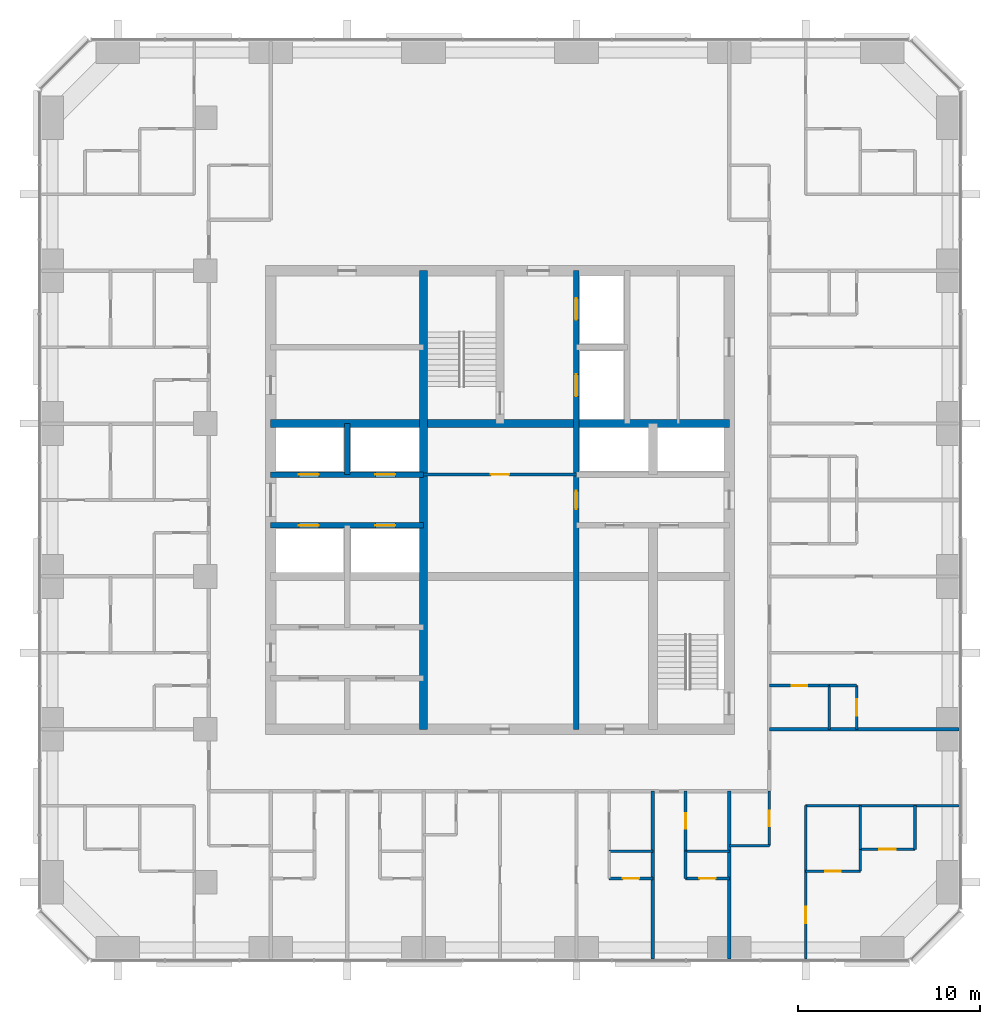
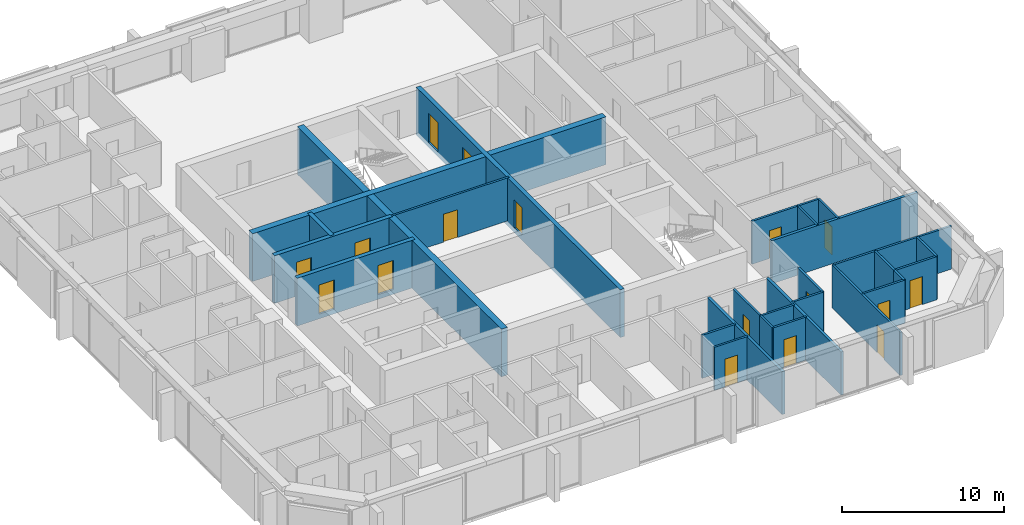
# One storey, part 10 of 14: 29 walls, 17 doors, 17 openings.
"""IFC4 building model written with IfcOpenShell, lengths in metres."""

from ifc_helpers import new_model, si_unit, direction, frame, frame_2d, origin, place, context, subcontext, project, spatial, rectangle, extrude, material, layer, layer_set, type_object, element, fill, save


model = new_model("IFC4")

# Units and contexts
model_context = context("Model", 3, precision=1e-05, world=origin(), true_north=direction((0.0, 1.0)))
body_context = subcontext(model_context, "Body", "Model", "MODEL_VIEW")
ifc_project = project(units=[si_unit("LENGTHUNIT", "METRE"), si_unit("AREAUNIT", "SQUARE_METRE"), si_unit("VOLUMEUNIT", "CUBIC_METRE"), si_unit("PLANEANGLEUNIT", "RADIAN"), si_unit("MASSUNIT", "GRAM", prefix="KILO")], contexts=[model_context])

# Site, building, storey
site_placement = place(None, origin())
site = spatial("IfcSite", under=ifc_project, at=site_placement, CompositionType="ELEMENT")
building_placement = place(site_placement, origin())
building = spatial("IfcBuilding", under=site, at=building_placement, Name="Dunama Terrace Hotel", CompositionType="ELEMENT")
storey_placement = place(building_placement, frame((0.0, 0.0, 198.60009765625)))
storey = spatial("IfcBuildingStorey", under=building, at=storey_placement, Name="L51", CompositionType="ELEMENT", Elevation=198.60009765625)

# Wall, opening, door
ifc_material_1 = material(Name="Gypsum board partition", Category="masonry")
ifc_layer_1 = layer(ifc_material_1, 0.14990234375)
ifc_layer_set_1 = layer_set([ifc_layer_1], Name="Bathroom partition 150")
wall_type_1 = type_object("IfcWallType", Name="Bathroom partition 150", PredefinedType="PARTITIONING", material=ifc_layer_set_1)
wall_1_placement = place(storey_placement, frame((39.60009765625, 10.10009765625, 0.0), z_axis=(0.0, 0.0, 1.0), x_axis=(0.0, 1.0, 0.0)))
wall_1 = element("IfcWall", 1, at=wall_1_placement, inside=storey, type_object=wall_type_1, Name="Bathroom partition 150 L51", PredefinedType="PARTITIONING", context=body_context, shape_type="SweptSolid", body=[
    extrude(rectangle(XDim=3.2998046875, YDim=0.14990234375, at=frame_2d((1.64990234375, 0.0))), origin(), (0.0, 0.0, 1.0), 3.25),
])
opening_1_placement = place(wall_1_placement, frame((1.22509765625, 0.0, 0.0)))
opening_1 = element("IfcOpeningElement", 2, at=opening_1_placement, cuts=wall_1, Name="Opening L51-52-022", PredefinedType="OPENING", context=body_context, shape_type="SweptSolid", body=[
    extrude(rectangle(XDim=0.85009765625, YDim=2.10009765625, at=frame_2d((0.425048828125, 1.050048828125))), frame((0.0, 0.0849609375, 0.0), z_axis=(0.0, -1.0, 0.0), x_axis=(1.0, 0.0, 0.0)), (0.0, 0.0, 1.0), 0.169921875),
])
ifc_material_2 = material(Name="Timber door with steel frame", Category="steel")
door_type_1 = type_object("IfcDoorType", Name="Bathroom door 850", OperationType="SINGLE_SWING_LEFT", PredefinedType="DOOR", material=ifc_material_2)
door_1_placement = place(opening_1_placement, frame((0.85009765625, 0.0, 0.0), z_axis=(0.0, 0.0, 1.0), x_axis=(-1.0, 0.0, 0.0)))
door_1 = element("IfcDoor", 3, at=door_1_placement, inside=storey, type_object=door_type_1, Name="Door to en-suite bathroom L51-52-022, type D2", OperationType="SINGLE_SWING_LEFT", OverallHeight=2.10009765625, OverallWidth=0.85009765625, PredefinedType="DOOR", context=body_context, shape_type="SweptSolid", body=[
    extrude(rectangle(XDim=0.85009765625, YDim=2.10009765625, at=frame_2d((0.425048828125, 1.050048828125))), frame((0.0, 0.025146484375, 0.0), z_axis=(0.0, -1.0, 0.0), x_axis=(1.0, 0.0, 0.0)), (0.0, 0.0, 1.0), 0.050048828125),
])
fill(opening_1, door_1)

wall_2_placement = place(storey_placement, frame((44.199951171875, 10.39990234375, 0.0), z_axis=(0.0, 0.0, 1.0), x_axis=(0.0, 1.0, 0.0)))
wall_2 = element("IfcWall", 4, at=wall_2_placement, inside=storey, type_object=wall_type_1, Name="Bathroom partition 150 L51", PredefinedType="PARTITIONING", context=body_context, shape_type="SweptSolid", body=[
    extrude(rectangle(XDim=3.0, YDim=0.14990234375, at=frame_2d((1.5, 0.0))), origin(), (0.0, 0.0, 1.0), 3.25),
])
opening_2_placement = place(wall_2_placement, frame((1.074951171875, 0.0, 0.0)))
opening_2 = element("IfcOpeningElement", 5, at=opening_2_placement, cuts=wall_2, Name="Opening L51-52-059", PredefinedType="OPENING", context=body_context, shape_type="SweptSolid", body=[
    extrude(rectangle(XDim=0.85009765625, YDim=2.10009765625, at=frame_2d((0.425048828125, 1.050048828125))), frame((0.0, 0.0849609375, 0.0), z_axis=(0.0, -1.0, 0.0), x_axis=(1.0, 0.0, 0.0)), (0.0, 0.0, 1.0), 0.169921875),
])
door_2_placement = place(opening_2_placement, origin())
door_2 = element("IfcDoor", 6, at=door_2_placement, inside=storey, type_object=door_type_1, Name="Door to powder room L51-52-059, type D2", OperationType="SINGLE_SWING_RIGHT", OverallHeight=2.10009765625, OverallWidth=0.85009765625, PredefinedType="DOOR", context=body_context, shape_type="SweptSolid", body=[
    extrude(rectangle(XDim=0.85009765625, YDim=2.10009765625, at=frame_2d((0.425048828125, 1.050048828125))), frame((0.0, 0.02490234375, 0.0), z_axis=(0.0, -1.0, 0.0), x_axis=(1.0, 0.0, 0.0)), (0.0, 0.0, 1.0), 0.050048828125),
])
fill(opening_2, door_2)

# Wall
wall_3_placement = place(storey_placement, frame((49.199951171875, 9.0, 0.0), z_axis=(0.0, 0.0, 1.0), x_axis=(0.0, 1.0, 0.0)))
element("IfcWall", 7, at=wall_3_placement, inside=storey, type_object=wall_type_1, Name="Bathroom partition 150 L51", PredefinedType="PARTITIONING", context=body_context, shape_type="SweptSolid", body=[
    extrude(rectangle(XDim=1.199951171875, YDim=0.14990234375, at=frame_2d((0.60009765625, 0.0))), origin(), (0.0, 0.0, 1.0), 3.25),
])

# Wall, opening, door
wall_4_placement = place(storey_placement, frame((46.199951171875, 9.0, 0.0), z_axis=(0.0, 0.0, 1.0), x_axis=(1.0, 0.0, 0.0)))
wall_4 = element("IfcWall", 8, at=wall_4_placement, inside=storey, type_object=wall_type_1, Name="Bathroom partition 150 L51", PredefinedType="PARTITIONING", context=body_context, shape_type="SweptSolid", body=[
    extrude(rectangle(XDim=3.0, YDim=0.14990234375, at=frame_2d((1.5, 0.0))), origin(), (0.0, 0.0, 1.0), 3.25),
])
opening_3_placement = place(wall_4_placement, frame((1.074951171875, 0.0, 0.0)))
opening_3 = element("IfcOpeningElement", 9, at=opening_3_placement, cuts=wall_4, Name="Opening L51-52-061", PredefinedType="OPENING", context=body_context, shape_type="SweptSolid", body=[
    extrude(rectangle(XDim=0.85009765625, YDim=2.10009765625, at=frame_2d((0.425048828125, 1.050048828125))), frame((0.0, 0.0849609375, 0.0), z_axis=(0.0, -1.0, 0.0), x_axis=(1.0, 0.0, 0.0)), (0.0, 0.0, 1.0), 0.169921875),
])
door_3_placement = place(opening_3_placement, origin())
door_3 = element("IfcDoor", 10, at=door_3_placement, inside=storey, type_object=door_type_1, Name="Door to en-suite bathroom L51-52-061, type D2", OperationType="SINGLE_SWING_RIGHT", OverallHeight=2.10009765625, OverallWidth=0.85009765625, PredefinedType="DOOR", context=body_context, shape_type="SweptSolid", body=[
    extrude(rectangle(XDim=0.85009765625, YDim=2.10009765625, at=frame_2d((0.425048828125, 1.050048828125))), frame((0.0, 0.02490234375, 0.0), z_axis=(0.0, -1.0, 0.0), x_axis=(1.0, 0.0, 0.0)), (0.0, 0.0, 1.0), 0.050048828125),
])
fill(opening_3, door_3)

# Wall
wall_5_placement = place(storey_placement, frame((42.0, 10.39990234375, 0.0), z_axis=(0.0, 0.0, 1.0), x_axis=(1.0, 0.0, 0.0)))
element("IfcWall", 11, at=wall_5_placement, inside=storey, type_object=wall_type_1, Name="Bathroom partition 150 L51", PredefinedType="PARTITIONING", context=body_context, shape_type="SweptSolid", body=[
    extrude(rectangle(XDim=2.199951171875, YDim=0.14990234375, at=frame_2d((1.10009765625, 0.0))), origin(), (0.0, 0.0, 1.0), 3.25),
])

# Wall, opening, door
wall_6_placement = place(storey_placement, frame((44.199951171875, 19.199951171875, 0.0), z_axis=(0.0, 0.0, 1.0), x_axis=(1.0, 0.0, 0.0)))
wall_6 = element("IfcWall", 12, at=wall_6_placement, inside=storey, type_object=wall_type_1, Name="Bathroom partition 150 L51", PredefinedType="PARTITIONING", context=body_context, shape_type="SweptSolid", body=[
    extrude(rectangle(XDim=3.300048828125, YDim=0.14990234375, at=frame_2d((1.64990234375, 0.0))), origin(), (0.0, 0.0, 1.0), 3.25),
])
opening_4_placement = place(wall_6_placement, frame((1.22509765625, 0.0, 0.0)))
opening_4 = element("IfcOpeningElement", 13, at=opening_4_placement, cuts=wall_6, Name="Opening L51-52-026", PredefinedType="OPENING", context=body_context, shape_type="SweptSolid", body=[
    extrude(rectangle(XDim=0.85009765625, YDim=2.10009765625, at=frame_2d((0.425048828125, 1.050048828125))), frame((0.0, 0.0849609375, 0.0), z_axis=(0.0, -1.0, 0.0), x_axis=(1.0, 0.0, 0.0)), (0.0, 0.0, 1.0), 0.169921875),
])
door_4_placement = place(opening_4_placement, frame((0.85009765625, 0.0, 0.0), z_axis=(0.0, 0.0, 1.0), x_axis=(-1.0, 0.0, 0.0)))
door_4 = element("IfcDoor", 14, at=door_4_placement, inside=storey, type_object=door_type_1, Name="Door to en-suite bathroom L51-52-026, type D2", OperationType="SINGLE_SWING_RIGHT", OverallHeight=2.10009765625, OverallWidth=0.85009765625, PredefinedType="DOOR", context=body_context, shape_type="SweptSolid", body=[
    extrude(rectangle(XDim=0.85009765625, YDim=2.10009765625, at=frame_2d((0.425048828125, 1.050048828125))), frame((0.0, 0.025146484375, 0.0), z_axis=(0.0, -1.0, 0.0), x_axis=(1.0, 0.0, 0.0)), (0.0, 0.0, 1.0), 0.050048828125),
])
fill(opening_4, door_4)

# Wall
ifc_material_3 = material(Name="Concrete C50/60", Category="concrete")
ifc_layer_2 = layer(ifc_material_3, 0.300048828125)
ifc_layer_set_2 = layer_set([ifc_layer_2], Name="Core inner wall 300")
wall_type_2 = type_object("IfcWallType", Name="Core inner wall 300", PredefinedType="SHEAR", material=ifc_layer_set_2)
wall_7_placement = place(storey_placement, frame((21.0, 30.800048828125, -0.35009765625), z_axis=(0.0, 0.0, 1.0), x_axis=(0.0, 1.0, 0.0)))
element("IfcWall", 15, at=wall_7_placement, inside=storey, type_object=wall_type_2, Name="Core inner wall 300 L51", PredefinedType="SHEAR", context=body_context, shape_type="SweptSolid", body=[
    extrude(rectangle(XDim=2.800048828125, YDim=0.300048828125, at=frame_2d((1.39990234375, 0.0))), origin(), (0.0, 0.0, 1.0), 3.60009765625),
])

# Wall, openings, doors
wall_8_placement = place(storey_placement, frame((33.60009765625, 16.800048828125, -0.35009765625), z_axis=(0.0, 0.0, 1.0), x_axis=(0.0, 1.0, 0.0)))
wall_8 = element("IfcWall", 16, at=wall_8_placement, inside=storey, type_object=wall_type_2, Name="Core inner wall 300 L51", PredefinedType="SHEAR", context=body_context, shape_type="SweptSolid", body=[
    extrude(rectangle(XDim=25.199951171875, YDim=0.300048828125, at=frame_2d((12.60009765625, 0.0))), origin(), (0.0, 0.0, 1.0), 3.60009765625),
])
opening_5_placement = place(wall_8_placement, frame((22.5, 0.0, 0.35009765625)))
opening_5 = element("IfcOpeningElement", 17, at=opening_5_placement, cuts=wall_8, Name="Opening L51-52-007", PredefinedType="OPENING", context=body_context, shape_type="SweptSolid", body=[
    extrude(rectangle(XDim=1.199951171875, YDim=2.199951171875, at=frame_2d((0.60009765625, 1.10009765625))), frame((0.0, 0.159912109375, 0.0), z_axis=(0.0, -1.0, 0.0), x_axis=(1.0, 0.0, 0.0)), (0.0, 0.0, 1.0), 0.320068359375),
])
opening_6_placement = place(wall_8_placement, frame((18.300048828125, 0.0, 0.35009765625)))
opening_6 = element("IfcOpeningElement", 18, at=opening_6_placement, cuts=wall_8, Name="Opening L51-52-008", PredefinedType="OPENING", context=body_context, shape_type="SweptSolid", body=[
    extrude(rectangle(XDim=1.199951171875, YDim=2.199951171875, at=frame_2d((0.60009765625, 1.10009765625))), frame((0.0, 0.159912109375, 0.0), z_axis=(0.0, -1.0, 0.0), x_axis=(1.0, 0.0, 0.0)), (0.0, 0.0, 1.0), 0.320068359375),
])
opening_7_placement = place(wall_8_placement, frame((12.10009765625, 0.0, 0.35009765625)))
opening_7 = element("IfcOpeningElement", 19, at=opening_7_placement, cuts=wall_8, Name="Opening L51-52-081", PredefinedType="OPENING", context=body_context, shape_type="SweptSolid", body=[
    extrude(rectangle(XDim=1.0, YDim=2.10009765625, at=frame_2d((0.5, 1.050048828125))), frame((0.0, 0.159912109375, 0.0), z_axis=(0.0, -1.0, 0.0), x_axis=(1.0, 0.0, 0.0)), (0.0, 0.0, 1.0), 0.320068359375),
])
ifc_material_4 = material(Name="Stainless steel lift door", Category="steel")
door_type_2 = type_object("IfcDoorType", Name="Firefighting lift landing door 1200", OperationType="DOUBLE_DOOR_SLIDING", PredefinedType="DOOR", material=ifc_material_4)
door_5_placement = place(opening_5_placement, origin())
door_5 = element("IfcDoor", 20, at=door_5_placement, inside=storey, type_object=door_type_2, Name="Landing door FL1 L51-52-007, type LD2", OperationType="DOUBLE_DOOR_SLIDING", OverallHeight=2.199951171875, OverallWidth=1.199951171875, PredefinedType="DOOR", context=body_context, shape_type="SweptSolid", body=[
    extrude(rectangle(XDim=1.199951171875, YDim=2.199951171875, at=frame_2d((0.60009765625, 1.10009765625))), frame((0.0, 0.02490234375, 0.0), z_axis=(0.0, -1.0, 0.0), x_axis=(1.0, 0.0, 0.0)), (0.0, 0.0, 1.0), 0.050048828125),
])
fill(opening_5, door_5)
door_6_placement = place(opening_6_placement, origin())
door_6 = element("IfcDoor", 21, at=door_6_placement, inside=storey, type_object=door_type_2, Name="Landing door FL2 L51-52-008, type LD2", OperationType="DOUBLE_DOOR_SLIDING", OverallHeight=2.199951171875, OverallWidth=1.199951171875, PredefinedType="DOOR", context=body_context, shape_type="SweptSolid", body=[
    extrude(rectangle(XDim=1.199951171875, YDim=2.199951171875, at=frame_2d((0.60009765625, 1.10009765625))), frame((0.0, 0.02490234375, 0.0), z_axis=(0.0, -1.0, 0.0), x_axis=(1.0, 0.0, 0.0)), (0.0, 0.0, 1.0), 0.050048828125),
])
fill(opening_6, door_6)
ifc_material_5 = material(Name="Timber door with steel frame", Category="steel")
door_type_3 = type_object("IfcDoorType", Name="Service door 1000", OperationType="SINGLE_SWING_LEFT", PredefinedType="DOOR", material=ifc_material_5)
door_7_placement = place(opening_7_placement, origin())
door_7 = element("IfcDoor", 22, at=door_7_placement, inside=storey, type_object=door_type_3, Name="Door to housekeeping store L51-52-081, type D7", OperationType="SINGLE_SWING_LEFT", OverallHeight=2.10009765625, OverallWidth=1.0, PredefinedType="DOOR", context=body_context, shape_type="SweptSolid", body=[
    extrude(rectangle(XDim=1.0, YDim=2.10009765625, at=frame_2d((0.5, 1.050048828125))), frame((0.0, 0.02490234375, 0.0), z_axis=(0.0, -1.0, 0.0), x_axis=(1.0, 0.0, 0.0)), (0.0, 0.0, 1.0), 0.050048828125),
])
fill(opening_7, door_7)

wall_9_placement = place(storey_placement, frame((16.800048828125, 28.0, -0.35009765625), z_axis=(0.0, 0.0, 1.0), x_axis=(1.0, 0.0, 0.0)))
wall_9 = element("IfcWall", 23, at=wall_9_placement, inside=storey, type_object=wall_type_2, Name="Core inner wall 300 L51", PredefinedType="SHEAR", context=body_context, shape_type="SweptSolid", body=[
    extrude(rectangle(XDim=8.39990234375, YDim=0.300048828125, at=frame_2d((4.199951171875, 0.0))), origin(), (0.0, 0.0, 1.0), 3.60009765625),
])
opening_8_placement = place(wall_9_placement, frame((1.550048828125, 0.0, 0.35009765625)))
opening_8 = element("IfcOpeningElement", 24, at=opening_8_placement, cuts=wall_9, Name="Opening L51-52-003", PredefinedType="OPENING", context=body_context, shape_type="SweptSolid", body=[
    extrude(rectangle(XDim=1.10009765625, YDim=2.199951171875, at=frame_2d((0.550048828125, 1.10009765625))), frame((0.0, 0.159912109375, 0.0), z_axis=(0.0, -1.0, 0.0), x_axis=(1.0, 0.0, 0.0)), (0.0, 0.0, 1.0), 0.320068359375),
])
opening_9_placement = place(wall_9_placement, frame((5.75, 0.0, 0.35009765625)))
opening_9 = element("IfcOpeningElement", 25, at=opening_9_placement, cuts=wall_9, Name="Opening L51-52-004", PredefinedType="OPENING", context=body_context, shape_type="SweptSolid", body=[
    extrude(rectangle(XDim=1.10009765625, YDim=2.199951171875, at=frame_2d((0.550048828125, 1.10009765625))), frame((0.0, 0.159912109375, 0.0), z_axis=(0.0, -1.0, 0.0), x_axis=(1.0, 0.0, 0.0)), (0.0, 0.0, 1.0), 0.320068359375),
])
ifc_material_6 = material(Name="Stainless steel lift door", Category="steel")
door_type_4 = type_object("IfcDoorType", Name="Lift landing door 1100", OperationType="DOUBLE_DOOR_SLIDING", PredefinedType="DOOR", material=ifc_material_6)
door_8_placement = place(opening_8_placement, origin())
door_8 = element("IfcDoor", 26, at=door_8_placement, inside=storey, type_object=door_type_4, Name="Landing door PC1 L51-52-003, type LD1", OperationType="DOUBLE_DOOR_SLIDING", OverallHeight=2.199951171875, OverallWidth=1.10009765625, PredefinedType="DOOR", context=body_context, shape_type="SweptSolid", body=[
    extrude(rectangle(XDim=1.10009765625, YDim=2.199951171875, at=frame_2d((0.550048828125, 1.10009765625))), frame((0.0, 0.02490234375, 0.0), z_axis=(0.0, -1.0, 0.0), x_axis=(1.0, 0.0, 0.0)), (0.0, 0.0, 1.0), 0.050048828125),
])
fill(opening_8, door_8)
door_9_placement = place(opening_9_placement, origin())
door_9 = element("IfcDoor", 27, at=door_9_placement, inside=storey, type_object=door_type_4, Name="Landing door PC2 L51-52-004, type LD1", OperationType="DOUBLE_DOOR_SLIDING", OverallHeight=2.199951171875, OverallWidth=1.10009765625, PredefinedType="DOOR", context=body_context, shape_type="SweptSolid", body=[
    extrude(rectangle(XDim=1.10009765625, YDim=2.199951171875, at=frame_2d((0.550048828125, 1.10009765625))), frame((0.0, 0.02490234375, 0.0), z_axis=(0.0, -1.0, 0.0), x_axis=(1.0, 0.0, 0.0)), (0.0, 0.0, 1.0), 0.050048828125),
])
fill(opening_9, door_9)

wall_10_placement = place(storey_placement, frame((16.800048828125, 30.800048828125, -0.35009765625), z_axis=(0.0, 0.0, 1.0), x_axis=(1.0, 0.0, 0.0)))
wall_10 = element("IfcWall", 28, at=wall_10_placement, inside=storey, type_object=wall_type_2, Name="Core inner wall 300 L51", PredefinedType="SHEAR", context=body_context, shape_type="SweptSolid", body=[
    extrude(rectangle(XDim=8.39990234375, YDim=0.300048828125, at=frame_2d((4.199951171875, 0.0))), origin(), (0.0, 0.0, 1.0), 3.60009765625),
])
opening_10_placement = place(wall_10_placement, frame((1.550048828125, 0.0, 0.35009765625)))
opening_10 = element("IfcOpeningElement", 29, at=opening_10_placement, cuts=wall_10, Name="Opening L51-52-005", PredefinedType="OPENING", context=body_context, shape_type="SweptSolid", body=[
    extrude(rectangle(XDim=1.10009765625, YDim=2.199951171875, at=frame_2d((0.550048828125, 1.10009765625))), frame((0.0, 0.159912109375, 0.0), z_axis=(0.0, -1.0, 0.0), x_axis=(1.0, 0.0, 0.0)), (0.0, 0.0, 1.0), 0.320068359375),
])
opening_11_placement = place(wall_10_placement, frame((5.75, 0.0, 0.35009765625)))
opening_11 = element("IfcOpeningElement", 30, at=opening_11_placement, cuts=wall_10, Name="Opening L51-52-006", PredefinedType="OPENING", context=body_context, shape_type="SweptSolid", body=[
    extrude(rectangle(XDim=1.10009765625, YDim=2.199951171875, at=frame_2d((0.550048828125, 1.10009765625))), frame((0.0, 0.159912109375, 0.0), z_axis=(0.0, -1.0, 0.0), x_axis=(1.0, 0.0, 0.0)), (0.0, 0.0, 1.0), 0.320068359375),
])
door_10_placement = place(opening_10_placement, origin())
door_10 = element("IfcDoor", 31, at=door_10_placement, inside=storey, type_object=door_type_4, Name="Landing door PC3 L51-52-005, type LD1", OperationType="DOUBLE_DOOR_SLIDING", OverallHeight=2.199951171875, OverallWidth=1.10009765625, PredefinedType="DOOR", context=body_context, shape_type="SweptSolid", body=[
    extrude(rectangle(XDim=1.10009765625, YDim=2.199951171875, at=frame_2d((0.550048828125, 1.10009765625))), frame((0.0, 0.02490234375, 0.0), z_axis=(0.0, -1.0, 0.0), x_axis=(1.0, 0.0, 0.0)), (0.0, 0.0, 1.0), 0.050048828125),
])
fill(opening_10, door_10)
door_11_placement = place(opening_11_placement, origin())
door_11 = element("IfcDoor", 32, at=door_11_placement, inside=storey, type_object=door_type_4, Name="Landing door PC4 L51-52-006, type LD1", OperationType="DOUBLE_DOOR_SLIDING", OverallHeight=2.199951171875, OverallWidth=1.10009765625, PredefinedType="DOOR", context=body_context, shape_type="SweptSolid", body=[
    extrude(rectangle(XDim=1.10009765625, YDim=2.199951171875, at=frame_2d((0.550048828125, 1.10009765625))), frame((0.0, 0.02490234375, 0.0), z_axis=(0.0, -1.0, 0.0), x_axis=(1.0, 0.0, 0.0)), (0.0, 0.0, 1.0), 0.050048828125),
])
fill(opening_11, door_11)

# Walls
ifc_material_7 = material(Name="Concrete C50/60", Category="concrete")
ifc_layer_3 = layer(ifc_material_7, 0.449951171875)
ifc_layer_set_3 = layer_set([ifc_layer_3], Name="Core inner wall 450")
wall_type_3 = type_object("IfcWallType", Name="Core inner wall 450", PredefinedType="SHEAR", material=ifc_layer_set_3)
for number, where, z_axis, x_axis, name in (
    (33, (25.199951171875, 16.800048828125, -0.35009765625), (0.0, 0.0, 1.0), (0.0, 1.0, 0.0), "Core inner wall 450 L51"),
    (34, (16.800048828125, 33.60009765625, -0.35009765625), (0.0, 0.0, 1.0), (1.0, 0.0, 0.0), "Core inner wall 450 L51"),
):
    element("IfcWall", number, at=place(storey_placement, frame(where, z_axis=z_axis, x_axis=x_axis)), inside=storey, type_object=wall_type_3, Name=name, PredefinedType="SHEAR", context=body_context, shape_type="SweptSolid", body=[
        extrude(rectangle(XDim=25.199951171875, YDim=0.449951171875, at=frame_2d((12.60009765625, 0.0))), origin(), (0.0, 0.0, 1.0), 3.60009765625),
    ])
ifc_material_8 = material(Name="Concrete blockwork", Category="masonry")
ifc_layer_4 = layer(ifc_material_8, 0.199951171875)
ifc_layer_set_4 = layer_set([ifc_layer_4], Name="Party wall 200")
wall_type_4 = type_object("IfcWallType", Name="Party wall 200", PredefinedType="PARTITIONING", material=ifc_layer_set_4)
for number, where, z_axis, x_axis, name in (
    (35, (37.800048828125, 4.181884765625, 0.0), (0.0, 0.0, 1.0), (0.0, 1.0, 0.0), "Party wall 200 L51"),
    (36, (42.0, 4.181884765625, 0.0), (0.0, 0.0, 1.0), (0.0, 1.0, 0.0), "Party wall 200 L51"),
):
    element("IfcWall", number, at=place(storey_placement, frame(where, z_axis=z_axis, x_axis=x_axis)), inside=storey, type_object=wall_type_4, Name=name, PredefinedType="PARTITIONING", context=body_context, shape_type="SweptSolid", body=[
        extrude(rectangle(XDim=9.218017578125, YDim=0.199951171875, at=frame_2d((4.60888671875, 0.0))), origin(), (0.0, 0.0, 1.0), 3.25),
    ])
wall_11_placement = place(storey_placement, frame((44.199951171875, 16.800048828125, 0.0), z_axis=(0.0, 0.0, 1.0), x_axis=(1.0, 0.0, 0.0)))
element("IfcWall", 37, at=wall_11_placement, inside=storey, type_object=wall_type_4, Name="Party wall 200 L51", PredefinedType="PARTITIONING", context=body_context, shape_type="SweptSolid", body=[
    extrude(rectangle(XDim=10.41796875, YDim=0.199951171875, at=frame_2d((5.208984375, 0.0))), origin(), (0.0, 0.0, 1.0), 3.25),
])
ifc_material_9 = material(Name="Gypsum board partition", Category="masonry")
ifc_layer_5 = layer(ifc_material_9, 0.14990234375)
ifc_layer_set_5 = layer_set([ifc_layer_5], Name="Room partition 150")
wall_type_5 = type_object("IfcWallType", Name="Room partition 150", PredefinedType="PARTITIONING", material=ifc_layer_set_5)
wall_12_placement = place(storey_placement, frame((39.60009765625, 8.60009765625, 0.0), z_axis=(0.0, 0.0, 1.0), x_axis=(0.0, 1.0, 0.0)))
element("IfcWall", 38, at=wall_12_placement, inside=storey, type_object=wall_type_5, Name="Room partition 150 L51", PredefinedType="PARTITIONING", context=body_context, shape_type="SweptSolid", body=[
    extrude(rectangle(XDim=1.5, YDim=0.14990234375, at=frame_2d((0.75, 0.0))), origin(), (0.0, 0.0, 1.0), 3.25),
])

# Wall, opening, door
wall_13_placement = place(storey_placement, frame((46.199951171875, 4.181884765625, 0.0), z_axis=(0.0, 0.0, 1.0), x_axis=(0.0, 1.0, 0.0)))
wall_13 = element("IfcWall", 39, at=wall_13_placement, inside=storey, type_object=wall_type_5, Name="Room partition 150 L51", PredefinedType="PARTITIONING", context=body_context, shape_type="SweptSolid", body=[
    extrude(rectangle(XDim=8.418212890625, YDim=0.14990234375, at=frame_2d((4.208984375, 0.0))), origin(), (0.0, 0.0, 1.0), 3.25),
])
opening_12_placement = place(wall_13_placement, frame((1.968017578125, 0.0, 0.0)))
opening_12 = element("IfcOpeningElement", 40, at=opening_12_placement, cuts=wall_13, Name="Opening L51-52-060", PredefinedType="OPENING", context=body_context, shape_type="SweptSolid", body=[
    extrude(rectangle(XDim=0.89990234375, YDim=2.10009765625, at=frame_2d((0.449951171875, 1.050048828125))), frame((0.0, 0.0849609375, 0.0), z_axis=(0.0, -1.0, 0.0), x_axis=(1.0, 0.0, 0.0)), (0.0, 0.0, 1.0), 0.169921875),
])
ifc_material_10 = material(Name="Timber door with steel frame", Category="steel")
door_type_5 = type_object("IfcDoorType", Name="Suite internal door 900", OperationType="SINGLE_SWING_LEFT", PredefinedType="DOOR", material=ifc_material_10)
door_12_placement = place(opening_12_placement, frame((0.89990234375, 0.0, 0.0), z_axis=(0.0, 0.0, 1.0), x_axis=(-1.0, 0.0, 0.0)))
door_12 = element("IfcDoor", 41, at=door_12_placement, inside=storey, type_object=door_type_5, Name="Door to corner suite bedroom L51-52-060, type D16", OperationType="SINGLE_SWING_LEFT", OverallHeight=2.10009765625, OverallWidth=0.89990234375, PredefinedType="DOOR", context=body_context, shape_type="SweptSolid", body=[
    extrude(rectangle(XDim=0.89990234375, YDim=2.10009765625, at=frame_2d((0.449951171875, 1.050048828125))), frame((0.0, 0.025146484375, 0.0), z_axis=(0.0, -1.0, 0.0), x_axis=(1.0, 0.0, 0.0)), (0.0, 0.0, 1.0), 0.050048828125),
])
fill(opening_12, door_12)

# Wall
wall_14_placement = place(storey_placement, frame((47.5, 16.800048828125, 0.0), z_axis=(0.0, 0.0, 1.0), x_axis=(0.0, 1.0, 0.0)))
element("IfcWall", 42, at=wall_14_placement, inside=storey, type_object=wall_type_5, Name="Room partition 150 L51", PredefinedType="PARTITIONING", context=body_context, shape_type="SweptSolid", body=[
    extrude(rectangle(XDim=2.39990234375, YDim=0.14990234375, at=frame_2d((1.199951171875, 0.0))), origin(), (0.0, 0.0, 1.0), 3.25),
])

# Wall, opening, door
wall_15_placement = place(storey_placement, frame((49.0, 16.800048828125, 0.0), z_axis=(0.0, 0.0, 1.0), x_axis=(0.0, 1.0, 0.0)))
wall_15 = element("IfcWall", 43, at=wall_15_placement, inside=storey, type_object=wall_type_5, Name="Room partition 150 L51", PredefinedType="PARTITIONING", context=body_context, shape_type="SweptSolid", body=[
    extrude(rectangle(XDim=2.39990234375, YDim=0.14990234375, at=frame_2d((1.199951171875, 0.0))), origin(), (0.0, 0.0, 1.0), 3.25),
])
opening_13_placement = place(wall_15_placement, frame((0.75, 0.0, 0.0)))
opening_13 = element("IfcOpeningElement", 44, at=opening_13_placement, cuts=wall_15, Name="Opening L51-52-027", PredefinedType="OPENING", context=body_context, shape_type="SweptSolid", body=[
    extrude(rectangle(XDim=0.89990234375, YDim=2.10009765625, at=frame_2d((0.449951171875, 1.050048828125))), frame((0.0, 0.0849609375, 0.0), z_axis=(0.0, -1.0, 0.0), x_axis=(1.0, 0.0, 0.0)), (0.0, 0.0, 1.0), 0.169921875),
])
door_13_placement = place(opening_13_placement, origin())
door_13 = element("IfcDoor", 45, at=door_13_placement, inside=storey, type_object=door_type_5, Name="Door to walk-in wardrobe L51-52-027, type D16", OperationType="SINGLE_SWING_LEFT", OverallHeight=2.10009765625, OverallWidth=0.89990234375, PredefinedType="DOOR", context=body_context, shape_type="SweptSolid", body=[
    extrude(rectangle(XDim=0.89990234375, YDim=2.10009765625, at=frame_2d((0.449951171875, 1.050048828125))), frame((0.0, 0.02490234375, 0.0), z_axis=(0.0, -1.0, 0.0), x_axis=(1.0, 0.0, 0.0)), (0.0, 0.0, 1.0), 0.050048828125),
])
fill(opening_13, door_13)

# Walls
for number, where, z_axis, x_axis, name in (
    (46, (49.199951171875, 10.199951171875, 0.0), (0.0, 0.0, 1.0), (0.0, 1.0, 0.0), "Room partition 150 L51"),
    (47, (52.199951171875, 10.199951171875, 0.0), (0.0, 0.0, 1.0), (0.0, 1.0, 0.0), "Room partition 150 L51"),
):
    element("IfcWall", number, at=place(storey_placement, frame(where, z_axis=z_axis, x_axis=x_axis)), inside=storey, type_object=wall_type_5, Name=name, PredefinedType="PARTITIONING", context=body_context, shape_type="SweptSolid", body=[
        extrude(rectangle(XDim=2.400146484375, YDim=0.14990234375, at=frame_2d((1.2001953125, 0.0))), origin(), (0.0, 0.0, 1.0), 3.25),
    ])

# Wall, opening, door
wall_16_placement = place(storey_placement, frame((35.39990234375, 8.60009765625, 0.0), z_axis=(0.0, 0.0, 1.0), x_axis=(1.0, 0.0, 0.0)))
wall_16 = element("IfcWall", 48, at=wall_16_placement, inside=storey, type_object=wall_type_5, Name="Room partition 150 L51", PredefinedType="PARTITIONING", context=body_context, shape_type="SweptSolid", body=[
    extrude(rectangle(XDim=2.400146484375, YDim=0.14990234375, at=frame_2d((1.2001953125, 0.0))), origin(), (0.0, 0.0, 1.0), 3.25),
])
opening_14_placement = place(wall_16_placement, frame((0.75, 0.0, 0.0)))
opening_14 = element("IfcOpeningElement", 49, at=opening_14_placement, cuts=wall_16, Name="Opening L51-52-020", PredefinedType="OPENING", context=body_context, shape_type="SweptSolid", body=[
    extrude(rectangle(XDim=0.89990234375, YDim=2.10009765625, at=frame_2d((0.449951171875, 1.050048828125))), frame((0.0, 0.0849609375, 0.0), z_axis=(0.0, -1.0, 0.0), x_axis=(1.0, 0.0, 0.0)), (0.0, 0.0, 1.0), 0.169921875),
])
door_14_placement = place(opening_14_placement, origin())
door_14 = element("IfcDoor", 50, at=door_14_placement, inside=storey, type_object=door_type_5, Name="Door to walk-in wardrobe L51-52-020, type D16", OperationType="SINGLE_SWING_LEFT", OverallHeight=2.10009765625, OverallWidth=0.89990234375, PredefinedType="DOOR", context=body_context, shape_type="SweptSolid", body=[
    extrude(rectangle(XDim=0.89990234375, YDim=2.10009765625, at=frame_2d((0.449951171875, 1.050048828125))), frame((0.0, 0.02490234375, 0.0), z_axis=(0.0, -1.0, 0.0), x_axis=(1.0, 0.0, 0.0)), (0.0, 0.0, 1.0), 0.050048828125),
])
fill(opening_14, door_14)

wall_17_placement = place(storey_placement, frame((39.60009765625, 8.60009765625, 0.0), z_axis=(0.0, 0.0, 1.0), x_axis=(1.0, 0.0, 0.0)))
wall_17 = element("IfcWall", 51, at=wall_17_placement, inside=storey, type_object=wall_type_5, Name="Room partition 150 L51", PredefinedType="PARTITIONING", context=body_context, shape_type="SweptSolid", body=[
    extrude(rectangle(XDim=2.39990234375, YDim=0.14990234375, at=frame_2d((1.199951171875, 0.0))), origin(), (0.0, 0.0, 1.0), 3.25),
])
opening_15_placement = place(wall_17_placement, frame((0.75, 0.0, 0.0)))
opening_15 = element("IfcOpeningElement", 52, at=opening_15_placement, cuts=wall_17, Name="Opening L51-52-023", PredefinedType="OPENING", context=body_context, shape_type="SweptSolid", body=[
    extrude(rectangle(XDim=0.89990234375, YDim=2.10009765625, at=frame_2d((0.449951171875, 1.050048828125))), frame((0.0, 0.0849609375, 0.0), z_axis=(0.0, -1.0, 0.0), x_axis=(1.0, 0.0, 0.0)), (0.0, 0.0, 1.0), 0.169921875),
])
door_15_placement = place(opening_15_placement, origin())
door_15 = element("IfcDoor", 53, at=door_15_placement, inside=storey, type_object=door_type_5, Name="Door to walk-in wardrobe L51-52-023, type D16", OperationType="SINGLE_SWING_LEFT", OverallHeight=2.10009765625, OverallWidth=0.89990234375, PredefinedType="DOOR", context=body_context, shape_type="SweptSolid", body=[
    extrude(rectangle(XDim=0.89990234375, YDim=2.10009765625, at=frame_2d((0.449951171875, 1.050048828125))), frame((0.0, 0.02490234375, 0.0), z_axis=(0.0, -1.0, 0.0), x_axis=(1.0, 0.0, 0.0)), (0.0, 0.0, 1.0), 0.050048828125),
])
fill(opening_15, door_15)

# Walls
wall_18_placement = place(storey_placement, frame((35.39990234375, 10.10009765625, 0.0), z_axis=(0.0, 0.0, 1.0), x_axis=(1.0, 0.0, 0.0)))
element("IfcWall", 54, at=wall_18_placement, inside=storey, type_object=wall_type_5, Name="Room partition 150 L51", PredefinedType="PARTITIONING", context=body_context, shape_type="SweptSolid", body=[
    extrude(rectangle(XDim=2.400146484375, YDim=0.14990234375, at=frame_2d((1.2001953125, 0.0))), origin(), (0.0, 0.0, 1.0), 3.25),
])
wall_19_placement = place(storey_placement, frame((39.60009765625, 10.10009765625, 0.0), z_axis=(0.0, 0.0, 1.0), x_axis=(1.0, 0.0, 0.0)))
element("IfcWall", 55, at=wall_19_placement, inside=storey, type_object=wall_type_5, Name="Room partition 150 L51", PredefinedType="PARTITIONING", context=body_context, shape_type="SweptSolid", body=[
    extrude(rectangle(XDim=2.39990234375, YDim=0.14990234375, at=frame_2d((1.199951171875, 0.0))), origin(), (0.0, 0.0, 1.0), 3.25),
])

# Wall, opening, door
wall_20_placement = place(storey_placement, frame((49.199951171875, 10.199951171875, 0.0), z_axis=(0.0, 0.0, 1.0), x_axis=(1.0, 0.0, 0.0)))
wall_20 = element("IfcWall", 56, at=wall_20_placement, inside=storey, type_object=wall_type_5, Name="Room partition 150 L51", PredefinedType="PARTITIONING", context=body_context, shape_type="SweptSolid", body=[
    extrude(rectangle(XDim=3.0, YDim=0.14990234375, at=frame_2d((1.5, 0.0))), origin(), (0.0, 0.0, 1.0), 3.25),
])
opening_16_placement = place(wall_20_placement, frame((1.050048828125, 0.0, 0.0)))
opening_16 = element("IfcOpeningElement", 57, at=opening_16_placement, cuts=wall_20, Name="Opening L51-52-062", PredefinedType="OPENING", context=body_context, shape_type="SweptSolid", body=[
    extrude(rectangle(XDim=0.89990234375, YDim=2.10009765625, at=frame_2d((0.449951171875, 1.050048828125))), frame((0.0, 0.0849609375, 0.0), z_axis=(0.0, -1.0, 0.0), x_axis=(1.0, 0.0, 0.0)), (0.0, 0.0, 1.0), 0.169921875),
])
door_16_placement = place(opening_16_placement, origin())
door_16 = element("IfcDoor", 58, at=door_16_placement, inside=storey, type_object=door_type_5, Name="Door to dressing room L51-52-062, type D16", OperationType="SINGLE_SWING_LEFT", OverallHeight=2.10009765625, OverallWidth=0.89990234375, PredefinedType="DOOR", context=body_context, shape_type="SweptSolid", body=[
    extrude(rectangle(XDim=0.89990234375, YDim=2.10009765625, at=frame_2d((0.449951171875, 1.050048828125))), frame((0.0, 0.02490234375, 0.0), z_axis=(0.0, -1.0, 0.0), x_axis=(1.0, 0.0, 0.0)), (0.0, 0.0, 1.0), 0.050048828125),
])
fill(opening_16, door_16)

# Walls
wall_21_placement = place(storey_placement, frame((46.199951171875, 12.60009765625, 0.0), z_axis=(0.0, 0.0, 1.0), x_axis=(1.0, 0.0, 0.0)))
element("IfcWall", 59, at=wall_21_placement, inside=storey, type_object=wall_type_5, Name="Room partition 150 L51", PredefinedType="PARTITIONING", context=body_context, shape_type="SweptSolid", body=[
    extrude(rectangle(XDim=8.41796875, YDim=0.14990234375, at=frame_2d((4.208984375, 0.0))), origin(), (0.0, 0.0, 1.0), 3.25),
])
wall_22_placement = place(storey_placement, frame((47.5, 19.199951171875, 0.0), z_axis=(0.0, 0.0, 1.0), x_axis=(1.0, 0.0, 0.0)))
element("IfcWall", 60, at=wall_22_placement, inside=storey, type_object=wall_type_5, Name="Room partition 150 L51", PredefinedType="PARTITIONING", context=body_context, shape_type="SweptSolid", body=[
    extrude(rectangle(XDim=1.5, YDim=0.14990234375, at=frame_2d((0.75, 0.0))), origin(), (0.0, 0.0, 1.0), 3.25),
])

# Wall, opening, door
wall_23_placement = place(storey_placement, frame((25.199951171875, 30.800048828125, 0.0), z_axis=(0.0, 0.0, 1.0), x_axis=(1.0, 0.0, 0.0)))
wall_23 = element("IfcWall", 61, at=wall_23_placement, inside=storey, type_object=wall_type_5, Name="Room partition 150 L51", PredefinedType="PARTITIONING", context=body_context, shape_type="SweptSolid", body=[
    extrude(rectangle(XDim=8.400146484375, YDim=0.14990234375, at=frame_2d((4.2001953125, 0.0))), origin(), (0.0, 0.0, 1.0), 3.25),
])
opening_17_placement = place(wall_23_placement, frame((3.699951171875, 0.0, 0.0)))
opening_17 = element("IfcOpeningElement", 62, at=opening_17_placement, cuts=wall_23, Name="Opening L51-52-082", PredefinedType="OPENING", context=body_context, shape_type="SweptSolid", body=[
    extrude(rectangle(XDim=1.0, YDim=2.10009765625, at=frame_2d((0.5, 1.050048828125))), frame((0.0, 0.0849609375, 0.0), z_axis=(0.0, -1.0, 0.0), x_axis=(1.0, 0.0, 0.0)), (0.0, 0.0, 1.0), 0.169921875),
])
door_17_placement = place(opening_17_placement, origin())
door_17 = element("IfcDoor", 63, at=door_17_placement, inside=storey, type_object=door_type_3, Name="Door to linen store L51-52-082, type D7", OperationType="SINGLE_SWING_LEFT", OverallHeight=2.10009765625, OverallWidth=1.0, PredefinedType="DOOR", context=body_context, shape_type="SweptSolid", body=[
    extrude(rectangle(XDim=1.0, YDim=2.10009765625, at=frame_2d((0.5, 1.050048828125))), frame((0.0, 0.02490234375, 0.0), z_axis=(0.0, -1.0, 0.0), x_axis=(1.0, 0.0, 0.0)), (0.0, 0.0, 1.0), 0.050048828125),
])
fill(opening_17, door_17)

save(model, "model.ifc")
